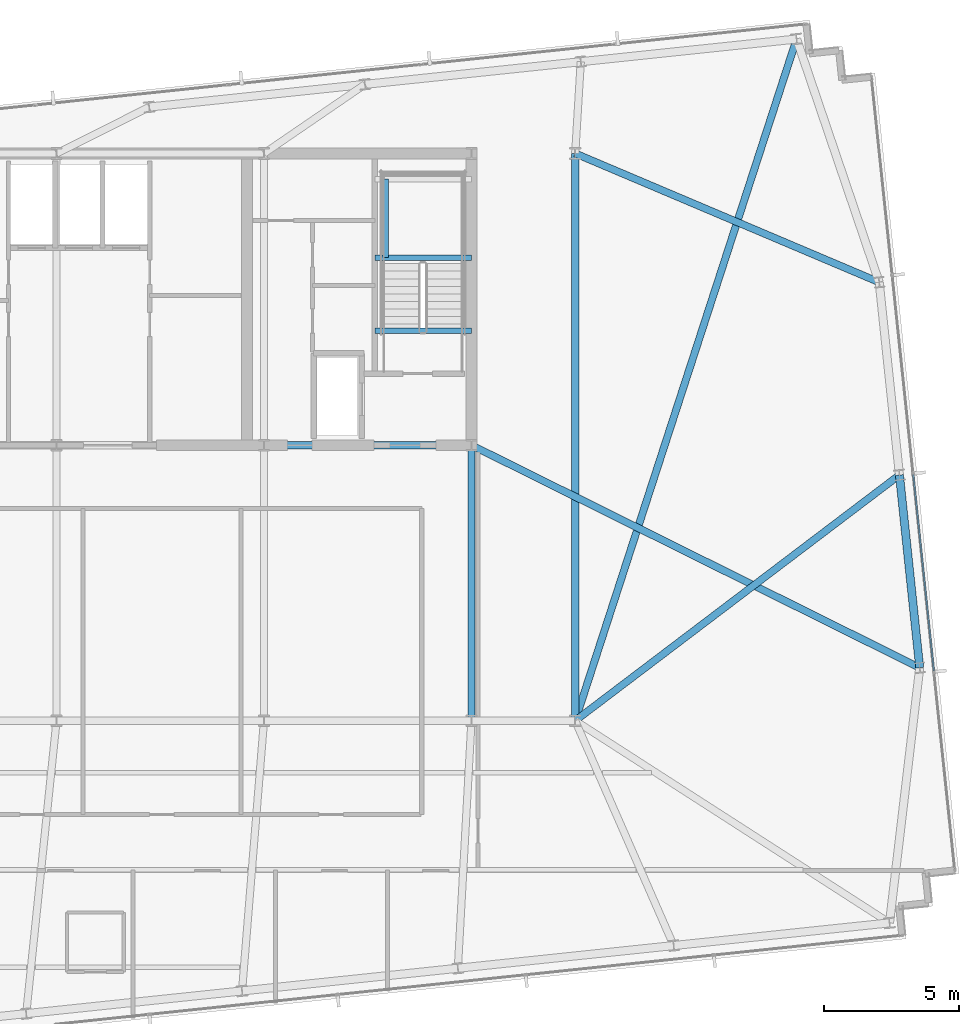
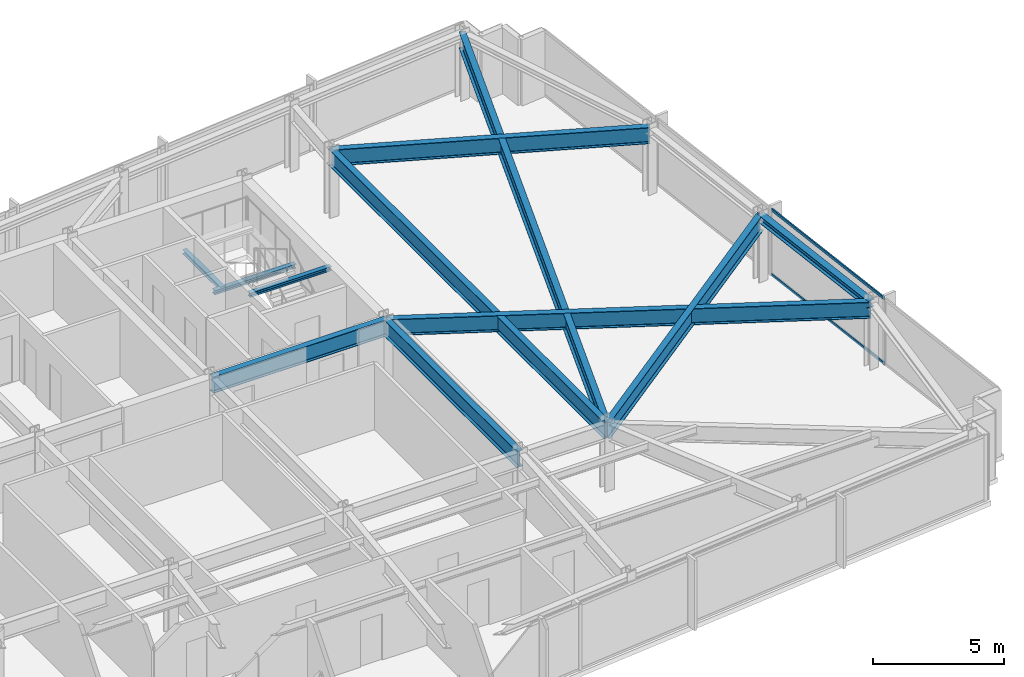
# One storey, part 18 of 32: 11 beams, 2 members, 1 element without a shape of its own.
"""IFC4 building model written with IfcOpenShell, lengths in metres."""

from ifc_helpers import new_model, si_unit, direction, frame, origin, origin_2d, place, context, subcontext, project, spatial, hollow_rectangle, i_section, extrude, material, material_profile, profile_set, type_object, element, aggregate, save


model = new_model("IFC4")

# Units and contexts
model_context = context("Model", 3, precision=1e-05, world=origin(), true_north=direction((0.0, 1.0)))
body_context = subcontext(model_context, "Body", "Model", "MODEL_VIEW")
ifc_project = project(units=[si_unit("LENGTHUNIT", "METRE"), si_unit("AREAUNIT", "SQUARE_METRE"), si_unit("VOLUMEUNIT", "CUBIC_METRE"), si_unit("PLANEANGLEUNIT", "RADIAN"), si_unit("MASSUNIT", "GRAM", prefix="KILO")], contexts=[model_context])

# Site, building, storey
site_placement = place(None, origin())
site = spatial("IfcSite", under=ifc_project, at=site_placement, CompositionType="ELEMENT")
building_placement = place(site_placement, origin())
building = spatial("IfcBuilding", under=site, at=building_placement, Name="Yelkora Congress Tower", CompositionType="ELEMENT")
storey_placement = place(building_placement, frame((0.0, 0.0, 217.699951171875)))
storey = spatial("IfcBuildingStorey", under=building, at=storey_placement, Name="L60", CompositionType="ELEMENT", Elevation=217.699951171875)

# Beams
ifc_material_1 = material(Name="Steel S355J2", Category="steel")
ifc_material_profile_1 = material_profile(ifc_material_1, i_section(OverallWidth=0.26708984375, OverallDepth=0.761962890625, WebThickness=0.014404296875, FlangeThickness=0.021484375, FilletRadius=0.01708984375, at=origin_2d()), Name="IPE 750x173")
ifc_profile_set_1 = profile_set([ifc_material_profile_1], Name="Steel S355J2")
beam_type_1 = type_object("IfcBeamType", Name="BM-GIRD-IPE750", PredefinedType="BEAM", material=ifc_profile_set_1)
beam_1_placement = place(storey_placement, frame((46.080078125, 35.39990234375, 2.698974609375), z_axis=(1.0, 0.0, 0.0), x_axis=(0.0, 1.0, 0.0)))
element("IfcBeam", 1, at=beam_1_placement, inside=storey, type_object=beam_type_1, Name="L60 Core South Girder 4", PredefinedType="BEAM", context=body_context, shape_type="SweptSolid", body=[
    extrude(i_section(OverallWidth=0.26708984375, OverallDepth=0.761962890625, WebThickness=0.014404296875, FlangeThickness=0.021484375, FilletRadius=0.01708984375, at=origin_2d()), origin(), (0.0, 0.0, 1.0), 7.679931640625),
])
beam_2_placement = place(storey_placement, frame((53.760009765625, 25.199951171875, 2.698974609375), z_axis=(0.0, 1.0, 0.0), x_axis=(-1.0, 0.0, 0.0)))
element("IfcBeam", 2, at=beam_2_placement, inside=storey, type_object=beam_type_1, Name="L60 Core Tie Girder MC-D5", PredefinedType="BEAM", context=body_context, shape_type="SweptSolid", body=[
    extrude(i_section(OverallWidth=0.26708984375, OverallDepth=0.761962890625, WebThickness=0.014404296875, FlangeThickness=0.021484375, FilletRadius=0.01708984375, at=origin_2d()), origin(), (0.0, 0.0, 1.0), 10.199951171875),
])
beam_3_placement = place(storey_placement, frame((57.60009765625, 25.199951171875, 2.698974609375), z_axis=(0.0, 1.0, 0.0), x_axis=(-1.0, 0.0, 0.0)))
element("IfcBeam", 3, at=beam_3_placement, inside=storey, type_object=beam_type_1, Name="L60 Neck Flank Girder MC-F2", PredefinedType="BEAM", context=body_context, shape_type="SweptSolid", body=[
    extrude(i_section(OverallWidth=0.26708984375, OverallDepth=0.761962890625, WebThickness=0.014404296875, FlangeThickness=0.021484375, FilletRadius=0.01708984375, at=origin_2d()), origin(), (0.0, 0.0, 1.0), 21.0),
])
beam_4_placement = place(storey_placement, frame((65.7958984375, 50.4365234375, 2.698974609375), z_axis=(-0.308878638672, -0.951101459663, 0.0), x_axis=(0.951101459663, -0.308878638672, 0.0)))
element("IfcBeam", 4, at=beam_4_placement, inside=storey, type_object=beam_type_1, Name="L60 Primary Frame Girder N07", PredefinedType="BEAM", context=body_context, shape_type="SweptSolid", body=[
    extrude(i_section(OverallWidth=0.26708984375, OverallDepth=0.761962890625, WebThickness=0.014404296875, FlangeThickness=0.021484375, FilletRadius=0.01708984375, at=origin_2d()), origin(), (0.0, 0.0, 1.0), 26.533935546875),
])
beam_5_placement = place(storey_placement, frame((70.35400390625, 27.160400390625, 2.698974609375), z_axis=(-0.895665070913, 0.444729221826, 0.0), x_axis=(-0.444729221826, -0.895665070913, 0.0)))
element("IfcBeam", 5, at=beam_5_placement, inside=storey, type_object=beam_type_1, Name="L60 Primary Frame Girder E01", PredefinedType="BEAM", context=body_context, shape_type="SweptSolid", body=[
    extrude(i_section(OverallWidth=0.26708984375, OverallDepth=0.761962890625, WebThickness=0.014404296875, FlangeThickness=0.021484375, FilletRadius=0.01708984375, at=origin_2d()), origin(), (0.0, 0.0, 1.0), 18.527099609375),
])
beam_6_placement = place(storey_placement, frame((69.60400390625, 34.296142578125, 2.698974609375), z_axis=(-0.797017901034, -0.603955681678, 0.0), x_axis=(0.603955681678, -0.797017901034, 0.0)))
element("IfcBeam", 6, at=beam_6_placement, inside=storey, type_object=beam_type_1, Name="L60 Primary Frame Girder E02", PredefinedType="BEAM", context=body_context, shape_type="SweptSolid", body=[
    extrude(i_section(OverallWidth=0.26708984375, OverallDepth=0.761962890625, WebThickness=0.014404296875, FlangeThickness=0.021484375, FilletRadius=0.01708984375, at=origin_2d()), origin(), (0.0, 0.0, 1.0), 15.06103515625),
])
beam_7_placement = place(storey_placement, frame((68.85400390625, 41.431884765625, 2.698974609375), z_axis=(-0.920767530621, 0.390111720606, 0.0), x_axis=(-0.390111720606, -0.920767530621, 0.0)))
element("IfcBeam", 7, at=beam_7_placement, inside=storey, type_object=beam_type_1, Name="L60 Primary Frame Girder E03", PredefinedType="BEAM", context=body_context, shape_type="SweptSolid", body=[
    extrude(i_section(OverallWidth=0.26708984375, OverallDepth=0.761962890625, WebThickness=0.014404296875, FlangeThickness=0.021484375, FilletRadius=0.01708984375, at=origin_2d()), origin(), (0.0, 0.0, 1.0), 12.222412109375),
])
ifc_material_profile_2 = material_profile(ifc_material_1, i_section(OverallWidth=0.199951171875, OverallDepth=0.18994140625, WebThickness=0.006591796875, FlangeThickness=0.010009765625, FilletRadius=0.01806640625, at=origin_2d()), Name="HEA 200")
ifc_profile_set_2 = profile_set([ifc_material_profile_2], Name="Steel S355J2")
beam_type_2 = type_object("IfcBeamType", Name="BM-LAND-HEA200", PredefinedType="BEAM", material=ifc_profile_set_2)
beam_8_placement = place(storey_placement, frame((50.179931640625, 42.340087890625, 1.334716796875), z_axis=(1.0, 0.0, 0.0), x_axis=(0.0, 1.0, 0.0)))
element("IfcBeam", 8, at=beam_8_placement, inside=storey, type_object=beam_type_2, Name="ST-02 L60 Landing Header Beam 1S", PredefinedType="BEAM", context=body_context, shape_type="SweptSolid", body=[
    extrude(i_section(OverallWidth=0.199951171875, OverallDepth=0.18994140625, WebThickness=0.006591796875, FlangeThickness=0.010009765625, FilletRadius=0.01806640625, at=origin_2d()), origin(), (0.0, 0.0, 1.0), 3.580078125),
])
beam_9_placement = place(storey_placement, frame((50.580078125, 42.340087890625, 1.334716796875), z_axis=(0.0, 1.0, 0.0), x_axis=(-1.0, 0.0, 0.0)))
element("IfcBeam", 9, at=beam_9_placement, inside=storey, type_object=beam_type_2, Name="ST-02 L60 Landing Trimmer Beam 1M", PredefinedType="BEAM", context=body_context, shape_type="SweptSolid", body=[
    extrude(i_section(OverallWidth=0.199951171875, OverallDepth=0.18994140625, WebThickness=0.006591796875, FlangeThickness=0.010009765625, FilletRadius=0.01806640625, at=origin_2d()), origin(), (0.0, 0.0, 1.0), 2.909912109375),
])
beam_10_placement = place(storey_placement, frame((50.179931640625, 39.639892578125, 2.85400390625), z_axis=(1.0, 0.0, 0.0), x_axis=(0.0, 1.0, 0.0)))
element("IfcBeam", 10, at=beam_10_placement, inside=storey, type_object=beam_type_2, Name="ST-02 L60 Floor Arrival Stringer Header Beam", PredefinedType="BEAM", context=body_context, shape_type="SweptSolid", body=[
    extrude(i_section(OverallWidth=0.199951171875, OverallDepth=0.18994140625, WebThickness=0.006591796875, FlangeThickness=0.010009765625, FilletRadius=0.01806640625, at=origin_2d()), origin(), (0.0, 0.0, 1.0), 3.580078125),
])
ifc_material_profile_3 = material_profile(ifc_material_1, i_section(OverallWidth=0.300048828125, OverallDepth=0.340087890625, WebThickness=0.011962890625, FlangeThickness=0.021484375, FilletRadius=0.027099609375, at=origin_2d()), Name="HEB 340")
ifc_profile_set_3 = profile_set([ifc_material_profile_3], Name="Steel S355J2")
beam_type_3 = type_object("IfcBeamType", Name="BM-SPAN-HEB340", PredefinedType="SPANDREL", material=ifc_profile_set_3)
beam_11_placement = place(storey_placement, frame((70.35400390625, 27.160400390625, 2.91015625), z_axis=(-0.104528914631, 0.994521847928, 0.0), x_axis=(-0.994521847928, -0.104528914631, 0.0)))
element("IfcBeam", 11, at=beam_11_placement, inside=storey, type_object=beam_type_3, Name="L60 Perimeter Beam 10", PredefinedType="SPANDREL", context=body_context, shape_type="SweptSolid", body=[
    extrude(i_section(OverallWidth=0.300048828125, OverallDepth=0.340087890625, WebThickness=0.011962890625, FlangeThickness=0.021484375, FilletRadius=0.027099609375, at=origin_2d()), origin(), (0.0, 0.0, 1.0), 7.175048828125),
])

# Curtain wall, members
ifc_material_2 = material(Name="Anodised aluminium and insulated glass", Category="aluminium")
curtain_wall_type = type_object("IfcCurtainWallType", Name="CW-SYS-B4", PredefinedType="NOTDEFINED", material=ifc_material_2)
curtain_wall_placement = place(storey_placement, origin())
curtain_wall = element("IfcCurtainWall", 12, at=curtain_wall_placement, inside=storey, type_object=curtain_wall_type, Name="L60 Unitised Curtain Wall 15", PredefinedType="NOTDEFINED")
ifc_material_3 = material(Name="Anodised aluminium 6063-T6", Category="aluminium")
ifc_material_profile_4 = material_profile(ifc_material_3, hollow_rectangle(XDim=0.06005859375, YDim=0.1298828125, WallThickness=0.00390625, at=origin_2d()), Name="ALU 60x130x4")
ifc_profile_set_4 = profile_set([ifc_material_profile_4], Name="Anodised aluminium 6063-T6")
member_type = type_object("IfcMemberType", Name="MEM-TR-B4", PredefinedType="USERDEFINED", material=ifc_profile_set_4)
member_1_placement = place(storey_placement, frame((70.114501953125, 34.317138671875, 0.030029296875), z_axis=(0.104531896307, -0.994521534535, 0.0), x_axis=(0.994521534535, 0.104531896307, 0.0)))
member_1 = element("IfcMember", 13, at=member_1_placement, type_object=member_type, Name="CW-B4 transom 3.1", ObjectType="TRANSOM", PredefinedType="USERDEFINED", context=body_context, shape_type="SweptSolid", body=[
    extrude(hollow_rectangle(XDim=0.06005859375, YDim=0.1298828125, WallThickness=0.00390625, at=origin_2d()), origin(), (0.0, 0.0, 1.0), 7.31494140625),
])
member_2_placement = place(storey_placement, frame((70.114501953125, 34.317138671875, 3.050048828125), z_axis=(0.104531896307, -0.994521534535, 0.0), x_axis=(0.994521534535, 0.104531896307, 0.0)))
member_2 = element("IfcMember", 14, at=member_2_placement, type_object=member_type, Name="CW-B4 transom 3.2", ObjectType="TRANSOM", PredefinedType="USERDEFINED", context=body_context, shape_type="SweptSolid", body=[
    extrude(hollow_rectangle(XDim=0.06005859375, YDim=0.1298828125, WallThickness=0.00390625, at=origin_2d()), origin(), (0.0, 0.0, 1.0), 7.31494140625),
])
aggregate(curtain_wall, [member_1, member_2])

save(model, "model.ifc")
